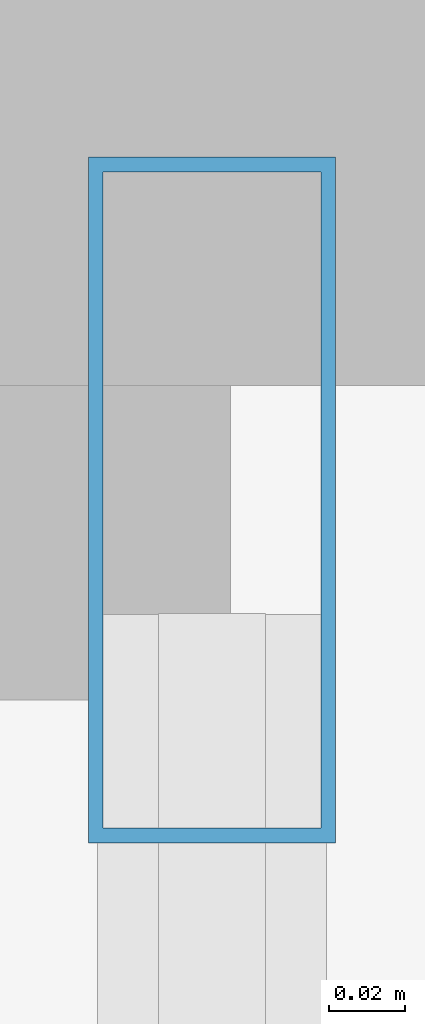
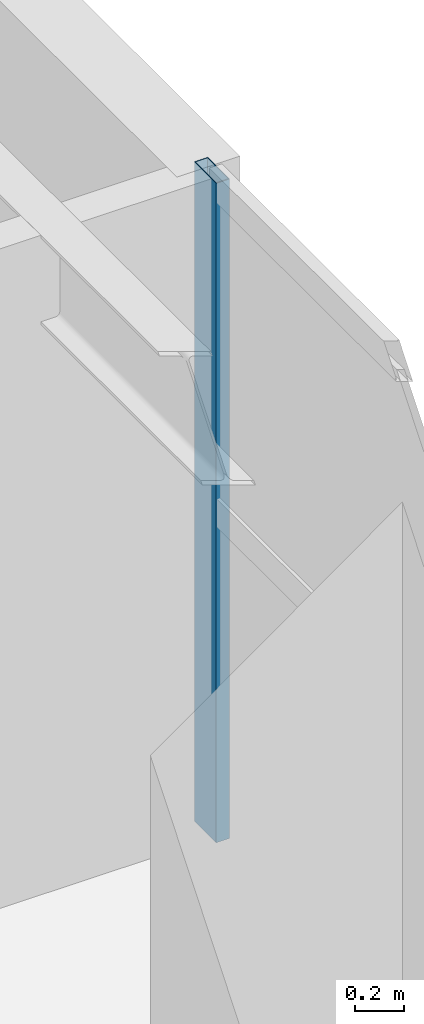
# One storey, part 16 of 24: 1 member, 1 element without a shape of its own.
"""IFC4 building model written with IfcOpenShell, lengths in metres."""

from ifc_helpers import new_model, si_unit, direction, frame, origin, origin_2d, place, context, subcontext, project, spatial, hollow_rectangle, extrude, source, transform, mapped, material, layer, layer_set, material_profile, profile_set, type_object, element, aggregate, save


model = new_model("IFC4")

# Units and contexts
model_context = context("Model", 3, precision=1e-05, world=origin(), true_north=direction((0.0, 1.0)))
body_context = subcontext(model_context, "Body", "Model", "MODEL_VIEW")
ifc_project = project(units=[si_unit("LENGTHUNIT", "METRE"), si_unit("AREAUNIT", "SQUARE_METRE"), si_unit("VOLUMEUNIT", "CUBIC_METRE"), si_unit("PLANEANGLEUNIT", "RADIAN"), si_unit("MASSUNIT", "GRAM", prefix="KILO")], contexts=[model_context])

# Site, building, storey
site_placement = place(None, origin())
site = spatial("IfcSite", under=ifc_project, at=site_placement, CompositionType="ELEMENT")
building_placement = place(site_placement, origin())
building = spatial("IfcBuilding", under=site, at=building_placement, Name="Khoralis Quay Care Tower", CompositionType="ELEMENT")
storey_placement = place(building_placement, frame((0.0, 0.0, 62.10009765625)))
storey = spatial("IfcBuildingStorey", under=building, at=storey_placement, Name="L16", CompositionType="ELEMENT", Elevation=62.10009765625)

# Curtain wall, member
ifc_material = material(Name="Pale anodised aluminium", Category="aluminium")
ifc_layer = layer(ifc_material, 0.179931640625)
ifc_layer_set = layer_set([ifc_layer], Name="Pale anodised aluminium")
curtain_wall_type = type_object("IfcCurtainWallType", Name="CW-SYS-Z1", PredefinedType="NOTDEFINED", material=ifc_layer_set)
curtain_wall_placement = place(storey_placement, origin())
curtain_wall = element("IfcCurtainWall", 1, at=curtain_wall_placement, inside=storey, type_object=curtain_wall_type, Name="L16 Unitised Curtain Wall CW-L16-P1-E5", PredefinedType="NOTDEFINED")
ifc_material_profile = material_profile(ifc_material, hollow_rectangle(XDim=0.06494140625, YDim=0.179931640625, WallThickness=0.00390625, at=origin_2d()), Name="Pale anodised aluminium")
ifc_profile_set = profile_set([ifc_material_profile], Name="Pale anodised aluminium")
member_type = type_object("IfcMemberType", Name="CW-MUL-180", PredefinedType="MULLION", material=ifc_profile_set)
shared_shape = source(origin(), body_context, "Body", "SweptSolid", [
    extrude(hollow_rectangle(XDim=0.06494140625, YDim=0.179931640625, WallThickness=0.00390625, at=origin_2d()), origin(), (0.0, 0.0, 1.0), 3.31982421875),
])
member_placement = place(storey_placement, frame((47.85009765625, 32.429931640625, 0.0), z_axis=(0.0, 0.0, 1.0), x_axis=(-1.0, 0.0, 0.0)))
member = element("IfcMember", 2, at=member_placement, type_object=member_type, Name="CW1 mullion 6", PredefinedType="MULLION", context=body_context, shape_type="MappedRepresentation", body=[
    mapped(shared_shape, transform((0.0, 0.0, 0.0), scale=1.0)),
])
aggregate(curtain_wall, [member])

save(model, "model.ifc")
